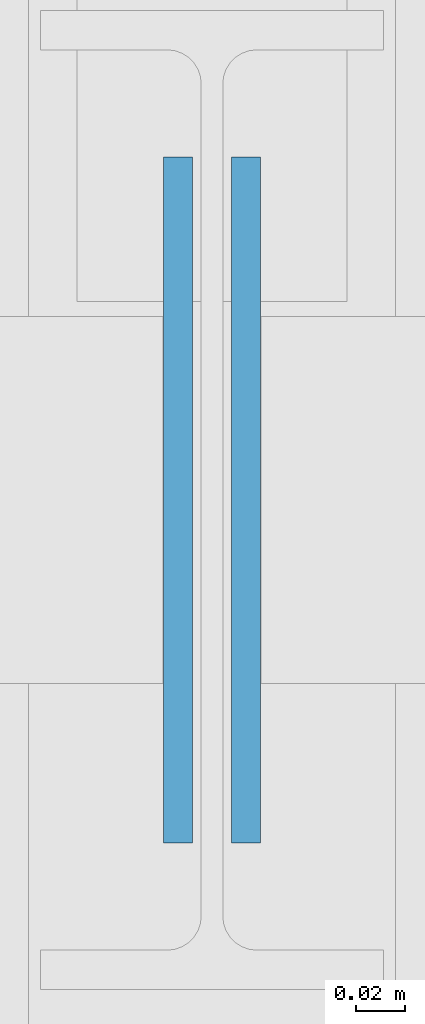
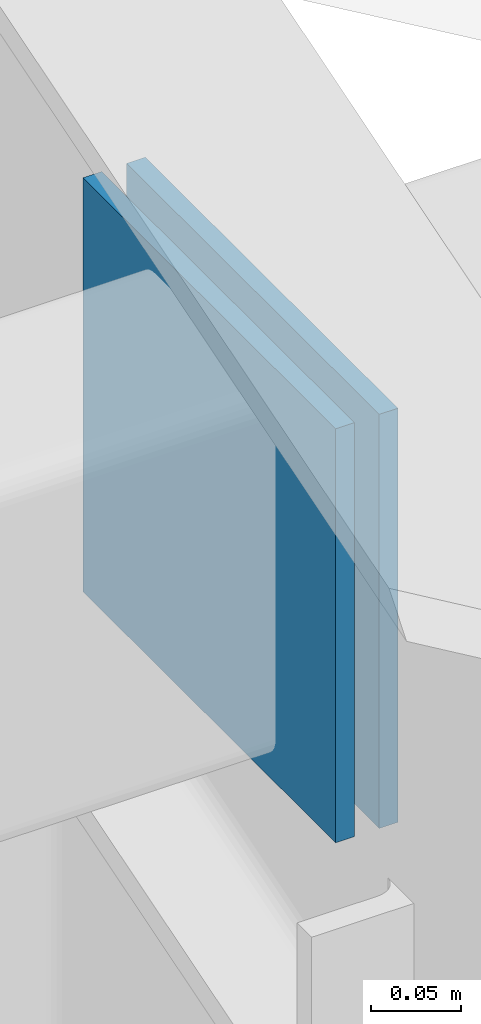
# One storey, part 123 of 163: 2 plates.
"""IFC4 building model written with IfcOpenShell, lengths in metres."""

from ifc_helpers import new_model, si_unit, direction, frame, origin, origin_2d, place, context, subcontext, project, spatial, rectangle, extrude, material, layer, layer_set, type_object, element, save


model = new_model("IFC4")

# Units and contexts
model_context = context("Model", 3, precision=1e-05, world=origin(), true_north=direction((0.0, 1.0)))
body_context = subcontext(model_context, "Body", "Model", "MODEL_VIEW")
ifc_project = project(units=[si_unit("LENGTHUNIT", "METRE"), si_unit("AREAUNIT", "SQUARE_METRE"), si_unit("VOLUMEUNIT", "CUBIC_METRE"), si_unit("PLANEANGLEUNIT", "RADIAN"), si_unit("MASSUNIT", "GRAM", prefix="KILO")], contexts=[model_context])

# Site, building, storey
site_placement = place(None, origin())
site = spatial("IfcSite", under=ifc_project, at=site_placement, CompositionType="ELEMENT")
building_placement = place(site_placement, origin())
building = spatial("IfcBuilding", under=site, at=building_placement, Name="Tharagai Park Tramway Depot", CompositionType="ELEMENT")
storey_placement = place(building_placement, frame((0.0, 0.0, 8.39990234375)))
storey = spatial("IfcBuildingStorey", under=building, at=storey_placement, Name="L02", CompositionType="ELEMENT", Elevation=8.39990234375)

# Plates
ifc_material = material(Name="Steel E350", Category="steel")
ifc_layer = layer(ifc_material, 0.011962890625)
ifc_layer_set = layer_set([ifc_layer], Name="Steel E350")
plate_type = type_object("IfcPlateType", Name="GP-04", PredefinedType="SHEET", material=ifc_layer_set)
for number, where, z_axis, x_axis, name in (
    (1, (62.986083984375, 94.5, 1.806640625), (0.0, 0.0, 1.0), (1.0, 0.0, 0.0), "Tube End Cap Plate GP-04"),
    (2, (63.013916015625, 94.5, 1.806640625), (0.0, 0.0, 1.0), (1.0, 0.0, 0.0), "Tube End Cap Plate GP-04"),
):
    element("IfcPlate", number, at=place(storey_placement, frame(where, z_axis=z_axis, x_axis=x_axis)), inside=storey, type_object=plate_type, Name=name, PredefinedType="SHEET", context=body_context, shape_type="SweptSolid", body=[
        extrude(rectangle(XDim=0.011962890625, YDim=0.280029296875, at=origin_2d()), origin(), (0.0, 0.0, 1.0), 0.280029296875),
    ])

save(model, "model.ifc")
